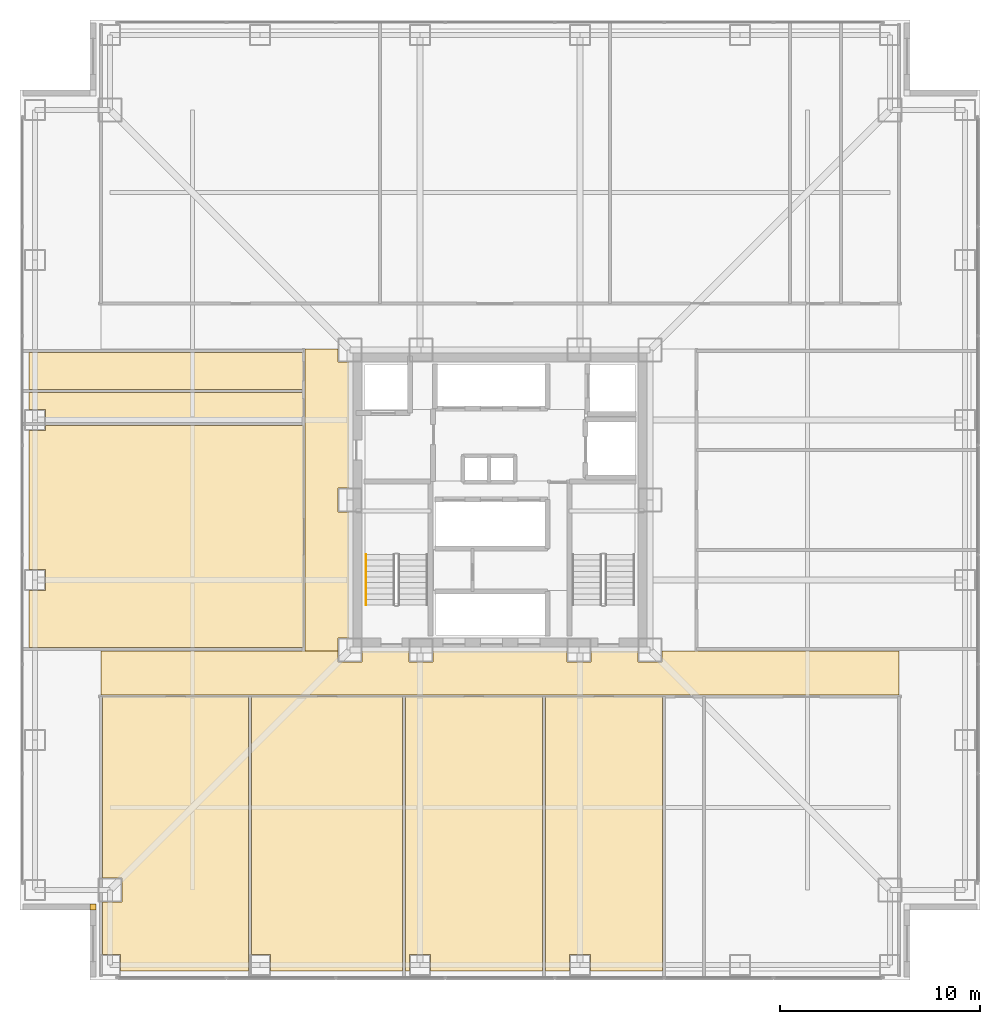
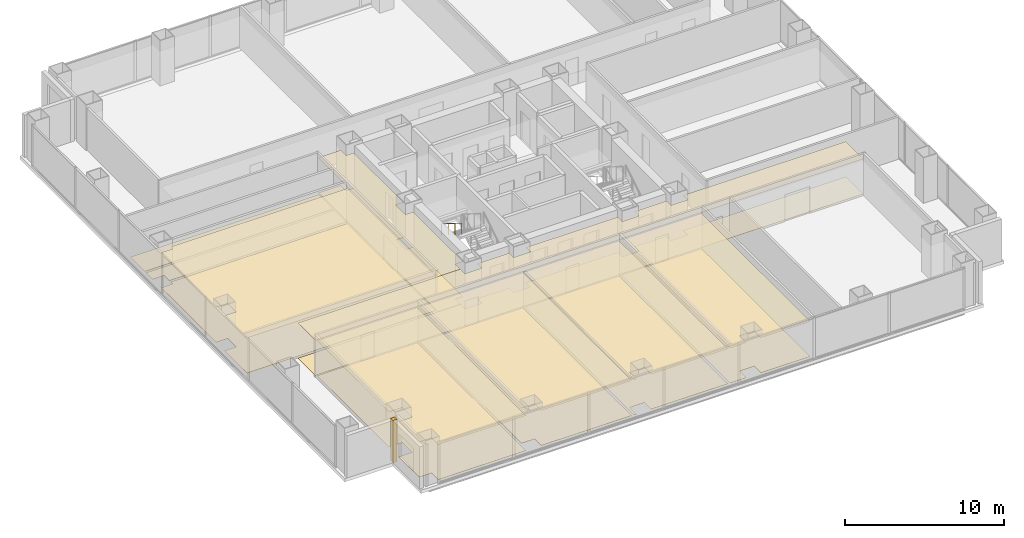
# One storey, part 17 of 19: 17 coverings, 1 railing.
"""IFC4 building model written with IfcOpenShell, lengths in metres."""

from ifc_helpers import new_model, si_unit, direction, frame, origin, origin_2d, place, context, subcontext, project, spatial, polyline, circle, outline, extrude, material, layer, layer_set, type_object, element, save


model = new_model("IFC4")

# Units and contexts
model_context = context("Model", 3, precision=1e-05, world=origin(), true_north=direction((0.0, 1.0)))
body_context = subcontext(model_context, "Body", "Model", "MODEL_VIEW")
ifc_project = project(units=[si_unit("LENGTHUNIT", "METRE"), si_unit("AREAUNIT", "SQUARE_METRE"), si_unit("VOLUMEUNIT", "CUBIC_METRE"), si_unit("PLANEANGLEUNIT", "RADIAN"), si_unit("MASSUNIT", "GRAM", prefix="KILO")], contexts=[model_context])

# Site, building, storey
site_placement = place(None, origin())
site = spatial("IfcSite", under=ifc_project, at=site_placement, CompositionType="ELEMENT")
building_placement = place(site_placement, origin())
building = spatial("IfcBuilding", under=site, at=building_placement, Name="Trevonay Congress Spire", CompositionType="ELEMENT")
storey_placement = place(building_placement, frame((0.0, 0.0, 41.0)))
storey = spatial("IfcBuildingStorey", under=building, at=storey_placement, Name="L09", CompositionType="ELEMENT", Elevation=41.0)

# Coverings
ifc_material_1 = material(Name="Acoustic Mineral Fibre Board", Category="gypsum")
ifc_layer_1 = layer(ifc_material_1, 0.02490234375, Name="Acoustic Mineral Fibre Board")
ifc_layer_set_1 = layer_set([ifc_layer_1], Name="Acoustic Mineral Fibre Board")
covering_type_1 = type_object("IfcCoveringType", Name="COV-CEIL-ACOUSTIC", PredefinedType="CEILING", material=ifc_layer_set_1)
covering_1_placement = place(storey_placement, frame((0.0, 0.0, 2.699951171875)))
element("IfcCovering", 1, at=covering_1_placement, inside=storey, type_object=covering_type_1, Name="L09 Hotel Floor Corridor South acoustic suspended ceiling", PredefinedType="CEILING", context=body_context, shape_type="SweptSolid", body=[
    extrude(outline(polyline([(19.949951171875, -7.550048828125), (19.949951171875, -9.75), (-19.949951171875, -9.75), (-19.949951171875, -7.550048828125), (-8.110107421875, -7.550048828125), (-8.110107421875, -8.110107421875), (-6.889892578125, -8.110107421875), (-6.889892578125, -7.550048828125), (-4.56005859375, -7.550048828125), (-4.56005859375, -8.110107421875), (-3.340087890625, -8.110107421875), (-3.340087890625, -7.550048828125), (3.340087890625, -7.550048828125), (3.340087890625, -8.110107421875), (4.56005859375, -8.110107421875), (4.56005859375, -7.550048828125), (6.889892578125, -7.550048828125), (6.889892578125, -8.110107421875), (8.110107421875, -8.110107421875), (8.110107421875, -7.550048828125), (19.949951171875, -7.550048828125)])), origin(), (0.0, 0.0, 1.0), 0.025146484375),
])
covering_2_placement = place(storey_placement, frame((0.0, 0.0, 2.699951171875)))
element("IfcCovering", 2, at=covering_2_placement, inside=storey, type_object=covering_type_1, Name="L09 Hotel Floor Corridor West acoustic suspended ceiling", PredefinedType="CEILING", context=body_context, shape_type="SweptSolid", body=[
    extrude(outline(polyline([(-9.75, 7.550048828125), (-8.110107421875, 7.550048828125), (-8.110107421875, 6.889892578125), (-7.550048828125, 6.889892578125), (-7.550048828125, 0.610107421875), (-8.110107421875, 0.610107421875), (-8.110107421875, -0.610107421875), (-7.550048828125, -0.610107421875), (-7.550048828125, -6.889892578125), (-8.110107421875, -6.889892578125), (-8.110107421875, -7.550048828125), (-9.75, -7.550048828125), (-9.75, 7.550048828125)])), origin(), (0.0, 0.0, 1.0), 0.025146484375),
])
covering_3_placement = place(storey_placement, frame((0.0, 0.0, 2.699951171875)))
element("IfcCovering", 3, at=covering_3_placement, inside=storey, type_object=covering_type_1, Name="L09 Delegate Breakout Room A acoustic suspended ceiling", PredefinedType="CEILING", context=body_context, shape_type="SweptSolid", body=[
    extrude(outline(polyline([(-19.8701171875, -9.830078125), (-12.580078125, -9.830078125), (-12.580078125, -23.550048828125), (-18.965087890625, -23.550048828125), (-18.965087890625, -22.715087890625), (-19.8701171875, -22.715087890625), (-19.8701171875, -20.110107421875), (-18.889892578125, -20.110107421875), (-18.889892578125, -18.889892578125), (-19.8701171875, -18.889892578125), (-19.8701171875, -9.830078125)])), origin(), (0.0, 0.0, 1.0), 0.025146484375),
])
covering_4_placement = place(storey_placement, frame((0.0, 0.0, 2.699951171875)))
element("IfcCovering", 4, at=covering_4_placement, inside=storey, type_object=covering_type_1, Name="L09 Delegate Breakout Room B acoustic suspended ceiling", PredefinedType="CEILING", context=body_context, shape_type="SweptSolid", body=[
    extrude(outline(polyline([(-12.419921875, -9.830078125), (-4.8798828125, -9.830078125), (-4.8798828125, -23.550048828125), (-11.465087890625, -23.550048828125), (-11.465087890625, -22.715087890625), (-12.419921875, -22.715087890625), (-12.419921875, -9.830078125)])), origin(), (0.0, 0.0, 1.0), 0.025146484375),
])
covering_5_placement = place(storey_placement, frame((0.0, 0.0, 2.699951171875)))
element("IfcCovering", 5, at=covering_5_placement, inside=storey, type_object=covering_type_1, Name="L09 Delegate Breakout Room C acoustic suspended ceiling", PredefinedType="CEILING", context=body_context, shape_type="SweptSolid", body=[
    extrude(outline(polyline([(-4.719970703125, -23.550048828125), (-4.719970703125, -9.830078125), (2.1201171875, -9.830078125), (2.1201171875, -23.550048828125), (-3.465087890625, -23.550048828125), (-3.465087890625, -22.715087890625), (-4.534912109375, -22.715087890625), (-4.534912109375, -23.550048828125), (-4.719970703125, -23.550048828125)])), origin(), (0.0, 0.0, 1.0), 0.025146484375),
])
covering_6_placement = place(storey_placement, frame((0.0, 0.0, 2.699951171875)))
element("IfcCovering", 6, at=covering_6_placement, inside=storey, type_object=covering_type_1, Name="L09 Breakout Coffee Lounge acoustic suspended ceiling", PredefinedType="CEILING", context=body_context, shape_type="SweptSolid", body=[
    extrude(outline(polyline([(2.280029296875, -23.550048828125), (2.280029296875, -9.830078125), (8.1201171875, -9.830078125), (8.1201171875, -23.550048828125), (4.534912109375, -23.550048828125), (4.534912109375, -22.715087890625), (3.465087890625, -22.715087890625), (3.465087890625, -23.550048828125), (2.280029296875, -23.550048828125)])), origin(), (0.0, 0.0, 1.0), 0.025146484375),
])
covering_7_placement = place(storey_placement, frame((0.0, 0.0, 2.699951171875)))
element("IfcCovering", 7, at=covering_7_placement, inside=storey, type_object=covering_type_1, Name="L09 Press Media Briefing Salon acoustic suspended ceiling", PredefinedType="CEILING", context=body_context, shape_type="SweptSolid", body=[
    extrude(outline(polyline([(-9.830078125, 3.719970703125), (-9.830078125, -7.3701171875), (-23.550048828125, -7.3701171875), (-23.550048828125, -4.534912109375), (-22.715087890625, -4.534912109375), (-22.715087890625, -3.465087890625), (-23.550048828125, -3.465087890625), (-23.550048828125, 3.465087890625), (-22.715087890625, 3.465087890625), (-22.715087890625, 3.719970703125), (-9.830078125, 3.719970703125)])), origin(), (0.0, 0.0, 1.0), 0.025146484375),
])
ifc_material_2 = material(Name="Polished Granite Floor Tile", Category="masonry")
ifc_layer_2 = layer(ifc_material_2, 0.02001953125, Name="Polished Granite Floor Tile")
ifc_layer_set_2 = layer_set([ifc_layer_2], Name="Polished Granite Floor Tile")
covering_type_2 = type_object("IfcCoveringType", Name="COV-FLOOR-STONE", PredefinedType="FLOORING", material=ifc_layer_set_2)
covering_8_placement = place(storey_placement, origin())
element("IfcCovering", 8, at=covering_8_placement, inside=storey, type_object=covering_type_2, Name="L09 Hotel Floor Corridor South floor finish", PredefinedType="FLOORING", context=body_context, shape_type="SweptSolid", body=[
    extrude(outline(polyline([(19.949951171875, -7.550048828125), (19.949951171875, -9.75), (-19.949951171875, -9.75), (-19.949951171875, -7.550048828125), (-8.110107421875, -7.550048828125), (-8.110107421875, -8.110107421875), (-6.889892578125, -8.110107421875), (-6.889892578125, -7.550048828125), (-4.56005859375, -7.550048828125), (-4.56005859375, -8.110107421875), (-3.340087890625, -8.110107421875), (-3.340087890625, -7.550048828125), (3.340087890625, -7.550048828125), (3.340087890625, -8.110107421875), (4.56005859375, -8.110107421875), (4.56005859375, -7.550048828125), (6.889892578125, -7.550048828125), (6.889892578125, -8.110107421875), (8.110107421875, -8.110107421875), (8.110107421875, -7.550048828125), (19.949951171875, -7.550048828125)])), origin(), (0.0, 0.0, 1.0), 0.02001953125),
])
covering_9_placement = place(storey_placement, origin())
element("IfcCovering", 9, at=covering_9_placement, inside=storey, type_object=covering_type_2, Name="L09 Hotel Floor Corridor West floor finish", PredefinedType="FLOORING", context=body_context, shape_type="SweptSolid", body=[
    extrude(outline(polyline([(-9.75, 7.550048828125), (-8.110107421875, 7.550048828125), (-8.110107421875, 6.889892578125), (-7.550048828125, 6.889892578125), (-7.550048828125, 0.610107421875), (-8.110107421875, 0.610107421875), (-8.110107421875, -0.610107421875), (-7.550048828125, -0.610107421875), (-7.550048828125, -6.889892578125), (-8.110107421875, -6.889892578125), (-8.110107421875, -7.550048828125), (-9.75, -7.550048828125), (-9.75, 7.550048828125)])), origin(), (0.0, 0.0, 1.0), 0.02001953125),
])
covering_10_placement = place(storey_placement, origin())
element("IfcCovering", 10, at=covering_10_placement, inside=storey, type_object=covering_type_2, Name="L09 Male Restroom WC floor finish", PredefinedType="FLOORING", context=body_context, shape_type="SweptSolid", body=[
    extrude(outline(polyline([(-23.550048828125, 5.3701171875), (-9.830078125, 5.3701171875), (-9.830078125, 3.8798828125), (-22.715087890625, 3.8798828125), (-22.715087890625, 4.534912109375), (-23.550048828125, 4.534912109375), (-23.550048828125, 5.3701171875)])), origin(), (0.0, 0.0, 1.0), 0.02001953125),
])
covering_11_placement = place(storey_placement, origin())
element("IfcCovering", 11, at=covering_11_placement, inside=storey, type_object=covering_type_2, Name="L09 Floor Supplies and Copy Room floor finish", PredefinedType="FLOORING", context=body_context, shape_type="SweptSolid", body=[
    extrude(outline(polyline([(-23.550048828125, 5.530029296875), (-9.830078125, 5.530029296875), (-9.830078125, 7.3701171875), (-23.550048828125, 7.3701171875), (-23.550048828125, 5.530029296875)])), origin(), (0.0, 0.0, 1.0), 0.02001953125),
])
ifc_material_3 = material(Name="Engineered Oak Flooring", Category="wood")
ifc_layer_3 = layer(ifc_material_3, 0.01806640625, Name="Engineered Oak Flooring")
ifc_layer_set_3 = layer_set([ifc_layer_3], Name="Engineered Oak Flooring")
covering_type_3 = type_object("IfcCoveringType", Name="COV-FLOOR-TIMBER", PredefinedType="FLOORING", material=ifc_layer_set_3)
covering_12_placement = place(storey_placement, origin())
element("IfcCovering", 12, at=covering_12_placement, inside=storey, type_object=covering_type_3, Name="L09 Delegate Breakout Room A floor finish", PredefinedType="FLOORING", context=body_context, shape_type="SweptSolid", body=[
    extrude(outline(polyline([(-19.8701171875, -9.830078125), (-12.580078125, -9.830078125), (-12.580078125, -23.550048828125), (-18.965087890625, -23.550048828125), (-18.965087890625, -22.715087890625), (-19.8701171875, -22.715087890625), (-19.8701171875, -20.110107421875), (-18.889892578125, -20.110107421875), (-18.889892578125, -18.889892578125), (-19.8701171875, -18.889892578125), (-19.8701171875, -9.830078125)])), origin(), (0.0, 0.0, 1.0), 0.01806640625),
])
covering_13_placement = place(storey_placement, origin())
element("IfcCovering", 13, at=covering_13_placement, inside=storey, type_object=covering_type_3, Name="L09 Delegate Breakout Room B floor finish", PredefinedType="FLOORING", context=body_context, shape_type="SweptSolid", body=[
    extrude(outline(polyline([(-12.419921875, -9.830078125), (-4.8798828125, -9.830078125), (-4.8798828125, -23.550048828125), (-11.465087890625, -23.550048828125), (-11.465087890625, -22.715087890625), (-12.419921875, -22.715087890625), (-12.419921875, -9.830078125)])), origin(), (0.0, 0.0, 1.0), 0.01806640625),
])
covering_14_placement = place(storey_placement, origin())
element("IfcCovering", 14, at=covering_14_placement, inside=storey, type_object=covering_type_3, Name="L09 Delegate Breakout Room C floor finish", PredefinedType="FLOORING", context=body_context, shape_type="SweptSolid", body=[
    extrude(outline(polyline([(-4.719970703125, -23.550048828125), (-4.719970703125, -9.830078125), (2.1201171875, -9.830078125), (2.1201171875, -23.550048828125), (-3.465087890625, -23.550048828125), (-3.465087890625, -22.715087890625), (-4.534912109375, -22.715087890625), (-4.534912109375, -23.550048828125), (-4.719970703125, -23.550048828125)])), origin(), (0.0, 0.0, 1.0), 0.01806640625),
])
covering_15_placement = place(storey_placement, origin())
element("IfcCovering", 15, at=covering_15_placement, inside=storey, type_object=covering_type_3, Name="L09 Breakout Coffee Lounge floor finish", PredefinedType="FLOORING", context=body_context, shape_type="SweptSolid", body=[
    extrude(outline(polyline([(2.280029296875, -23.550048828125), (2.280029296875, -9.830078125), (8.1201171875, -9.830078125), (8.1201171875, -23.550048828125), (4.534912109375, -23.550048828125), (4.534912109375, -22.715087890625), (3.465087890625, -22.715087890625), (3.465087890625, -23.550048828125), (2.280029296875, -23.550048828125)])), origin(), (0.0, 0.0, 1.0), 0.01806640625),
])
covering_16_placement = place(storey_placement, origin())
element("IfcCovering", 16, at=covering_16_placement, inside=storey, type_object=covering_type_3, Name="L09 Press Media Briefing Salon floor finish", PredefinedType="FLOORING", context=body_context, shape_type="SweptSolid", body=[
    extrude(outline(polyline([(-9.830078125, 3.719970703125), (-9.830078125, -7.3701171875), (-23.550048828125, -7.3701171875), (-23.550048828125, -4.534912109375), (-22.715087890625, -4.534912109375), (-22.715087890625, -3.465087890625), (-23.550048828125, -3.465087890625), (-23.550048828125, 3.465087890625), (-22.715087890625, 3.465087890625), (-22.715087890625, 3.719970703125), (-9.830078125, 3.719970703125)])), origin(), (0.0, 0.0, 1.0), 0.01806640625),
])
ifc_material_4 = material(Name="Pale Anodised Aluminium EN AW-6063-T6", Category="aluminium")
ifc_layer_4 = layer(ifc_material_4, 0.0400390625, Name="Pale Anodised Aluminium EN AW-6063-T6")
ifc_layer_set_4 = layer_set([ifc_layer_4], Name="Pale Anodised Aluminium EN AW-6063-T6")
covering_type_4 = type_object("IfcCoveringType", Name="COV-SPANDREL-PALE-METAL", PredefinedType="CLADDING", material=ifc_layer_set_4)
covering_17_placement = place(storey_placement, origin())
element("IfcCovering", 17, at=covering_17_placement, inside=storey, type_object=covering_type_4, Name="L09 SW re-entrant notch corner closure trim", PredefinedType="CLADDING", context=body_context, shape_type="SweptSolid", body=[
    extrude(outline(polyline([(-20.5, -20.5), (-20.199951171875, -20.5), (-20.199951171875, -20.199951171875), (-20.5, -20.199951171875), (-20.5, -20.5)])), origin(), (0.0, 0.0, 1.0), 3.25),
])

# Railing
railing_type = type_object("IfcRailingType", Name="RAL-STAIR-HANDRAIL", PredefinedType="HANDRAIL", material=ifc_material_4)
railing_placement = place(storey_placement, frame((-6.699951171875, -2.72998046875, 1.925048828125)))
element("IfcRailing", 18, at=railing_placement, inside=storey, type_object=railing_type, Name="L09 ST-1 stair handrail 2", PredefinedType="HANDRAIL", context=body_context, shape_type="SweptSolid", body=[
    extrude(circle(Radius=0.02392578125, at=origin_2d()), frame((0.0, 0.0, 0.8759765625), z_axis=(0.0, -0.848007534815, 0.529984170421), x_axis=(1.0, 0.0, 0.0)), (0.0, 0.0, 1.0), 2.9716796875),
    extrude(circle(Radius=0.02099609375, at=origin_2d()), origin(), (0.0, 0.0, 1.0), 0.851806640625),
    extrude(circle(Radius=0.02099609375, at=origin_2d()), frame((0.0, -0.840087890625, 0.52490234375)), (0.0, 0.0, 1.0), 0.851806640625),
    extrude(circle(Radius=0.02099609375, at=origin_2d()), frame((0.0, -1.679931640625, 1.050048828125)), (0.0, 0.0, 1.0), 0.851806640625),
    extrude(circle(Radius=0.02099609375, at=origin_2d()), frame((0.0, -2.52001953125, 1.574951171875)), (0.0, 0.0, 1.0), 0.851806640625),
])

save(model, "model.ifc")
